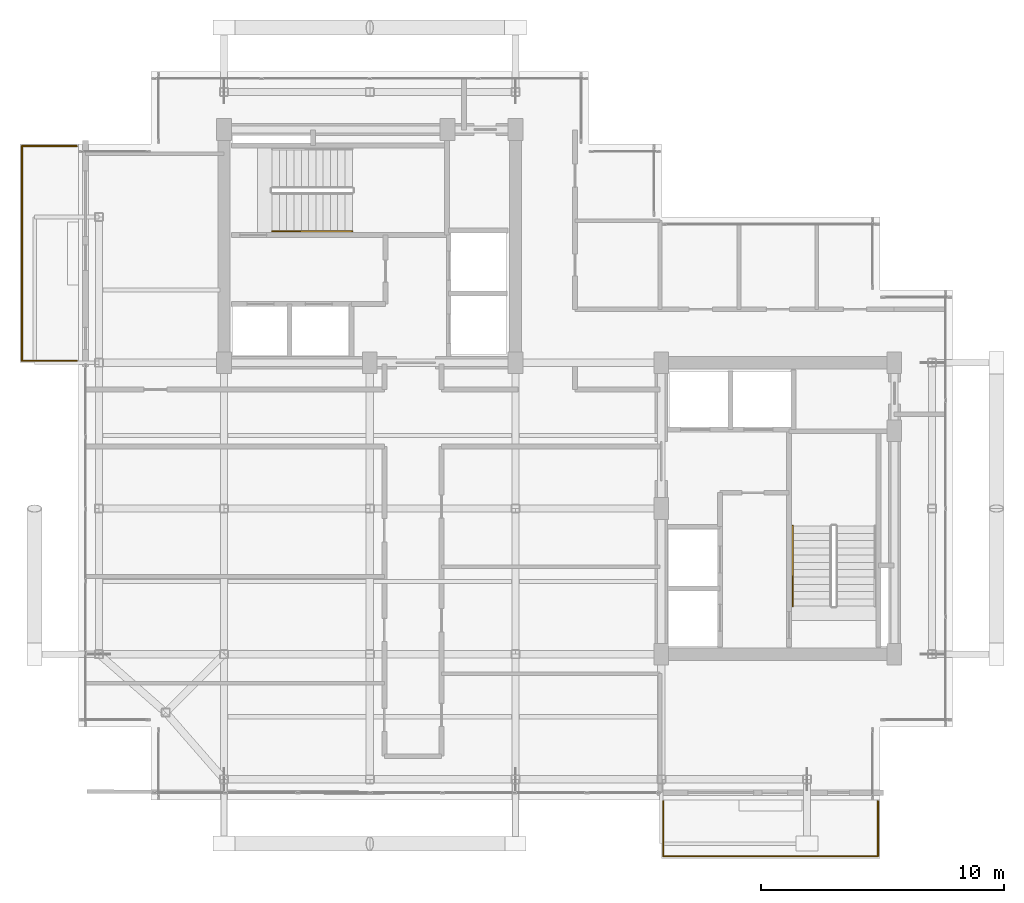
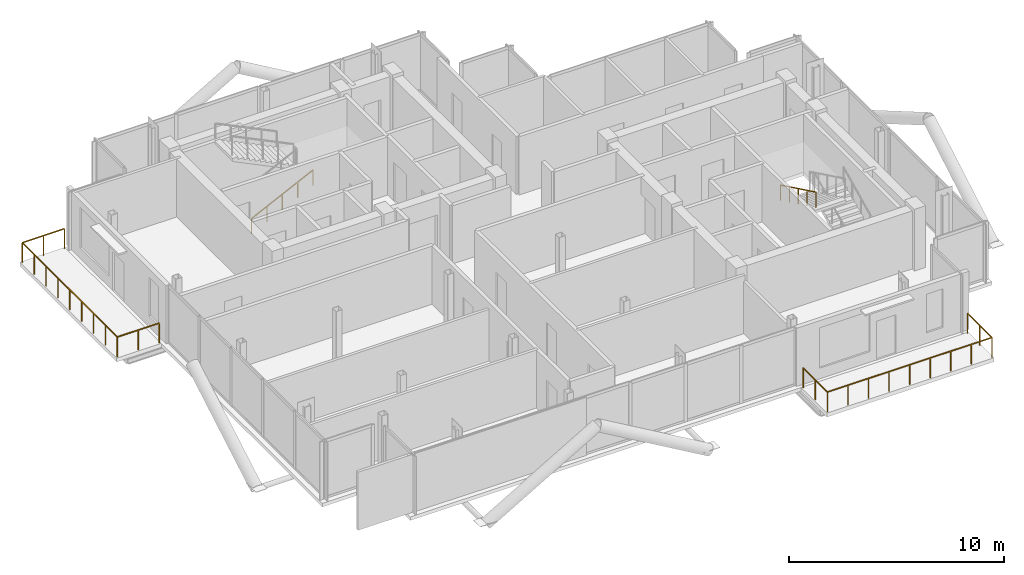
# One storey, part 18 of 19: 4 railings.
"""IFC4 building model written with IfcOpenShell, lengths in metres."""

from ifc_helpers import new_model, si_unit, direction, frame, origin, origin_2d, place, context, subcontext, project, spatial, rectangle, extrude, material, type_object, element, save


model = new_model("IFC4")

# Units and contexts
model_context = context("Model", 3, precision=1e-05, world=origin(), true_north=direction((0.0, 1.0)))
body_context = subcontext(model_context, "Body", "Model", "MODEL_VIEW")
ifc_project = project(units=[si_unit("LENGTHUNIT", "METRE"), si_unit("AREAUNIT", "SQUARE_METRE"), si_unit("VOLUMEUNIT", "CUBIC_METRE"), si_unit("PLANEANGLEUNIT", "RADIAN"), si_unit("MASSUNIT", "GRAM", prefix="KILO"), si_unit("THERMODYNAMICTEMPERATUREUNIT", "KELVIN"), si_unit("POWERUNIT", "WATT")], contexts=[model_context])

# Site, building, storey
site_placement = place(None, origin())
site = spatial("IfcSite", under=ifc_project, at=site_placement, CompositionType="ELEMENT")
building_placement = place(site_placement, origin())
building = spatial("IfcBuilding", under=site, at=building_placement, Name="Svarakhadi Broadcast Tower", CompositionType="ELEMENT")
storey_placement = place(building_placement, frame((0.0, 0.0, 271.199951171875)))
storey = spatial("IfcBuildingStorey", under=building, at=storey_placement, Name="L68", CompositionType="ELEMENT", Elevation=271.199951171875)

# Railings
ifc_material_1 = material(Name="Laminated Structural SentryGlas Balustrade 25.5 mm", Category="glass")
railing_type_1 = type_object("IfcRailingType", Name="Guard_Balcony_GR01", PredefinedType="BALUSTRADE", material=ifc_material_1)
railing_1_placement = place(storey_placement, frame((24.080078125, -0.06005859375, 0.0)))
element("IfcRailing", 1, at=railing_1_placement, inside=storey, type_object=railing_type_1, Name="L68 South Tree Balcony Guard GR-05", PredefinedType="BALUSTRADE", context=body_context, shape_type="SweptSolid", body=[
    extrude(rectangle(XDim=0.048095703125, YDim=0.048095703125, at=origin_2d()), frame((0.0, 0.0, 1.1259765625), z_axis=(0.0, -1.0, 0.0), x_axis=(1.0, 0.0, 0.0)), (0.0, 0.0, 1.0), 2.260009765625),
    extrude(rectangle(XDim=0.048095703125, YDim=0.048095703125, at=origin_2d()), frame((0.0, -2.260009765625, 1.1259765625), z_axis=(1.0, 0.0, 0.0), x_axis=(0.0, 1.0, 0.0)), (0.0, 0.0, 1.0), 8.83984375),
    extrude(rectangle(XDim=0.048095703125, YDim=0.048095703125, at=origin_2d()), frame((8.83984375, -2.260009765625, 1.1259765625), z_axis=(0.0, 1.0, 0.0), x_axis=(-1.0, 0.0, 0.0)), (0.0, 0.0, 1.0), 2.260009765625),
    extrude(rectangle(XDim=0.0419921875, YDim=0.0419921875, at=origin_2d()), origin(), (0.0, 0.0, 1.0), 1.101806640625),
    extrude(rectangle(XDim=0.0419921875, YDim=0.0419921875, at=origin_2d()), frame((0.0, -1.1298828125, 0.0)), (0.0, 0.0, 1.0), 1.101806640625),
    extrude(rectangle(XDim=0.0419921875, YDim=0.0419921875, at=origin_2d()), frame((0.0, -2.260009765625, 0.0)), (0.0, 0.0, 1.0), 1.101806640625),
    extrude(rectangle(XDim=0.0419921875, YDim=0.0419921875, at=origin_2d()), frame((1.10498046875, -2.260009765625, 0.0)), (0.0, 0.0, 1.0), 1.101806640625),
    extrude(rectangle(XDim=0.0419921875, YDim=0.0419921875, at=origin_2d()), frame((2.2099609375, -2.260009765625, 0.0)), (0.0, 0.0, 1.0), 1.101806640625),
    extrude(rectangle(XDim=0.0419921875, YDim=0.0419921875, at=origin_2d()), frame((3.31494140625, -2.260009765625, 0.0)), (0.0, 0.0, 1.0), 1.101806640625),
    extrude(rectangle(XDim=0.0419921875, YDim=0.0419921875, at=origin_2d()), frame((4.419921875, -2.260009765625, 0.0)), (0.0, 0.0, 1.0), 1.101806640625),
    extrude(rectangle(XDim=0.0419921875, YDim=0.0419921875, at=origin_2d()), frame((5.52490234375, -2.260009765625, 0.0)), (0.0, 0.0, 1.0), 1.101806640625),
    extrude(rectangle(XDim=0.0419921875, YDim=0.0419921875, at=origin_2d()), frame((6.6298828125, -2.260009765625, 0.0)), (0.0, 0.0, 1.0), 1.101806640625),
    extrude(rectangle(XDim=0.0419921875, YDim=0.0419921875, at=origin_2d()), frame((7.73486328125, -2.260009765625, 0.0)), (0.0, 0.0, 1.0), 1.101806640625),
    extrude(rectangle(XDim=0.0419921875, YDim=0.0419921875, at=origin_2d()), frame((8.83984375, -2.260009765625, 0.0)), (0.0, 0.0, 1.0), 1.101806640625),
    extrude(rectangle(XDim=0.0419921875, YDim=0.0419921875, at=origin_2d()), frame((8.83984375, -1.1298828125, 0.0)), (0.0, 0.0, 1.0), 1.101806640625),
    extrude(rectangle(XDim=0.0419921875, YDim=0.0419921875, at=origin_2d()), frame((8.83984375, 0.0, 0.0)), (0.0, 0.0, 1.0), 1.101806640625),
])
railing_2_placement = place(storey_placement, frame((-0.06005859375, 18.080078125, 0.0)))
element("IfcRailing", 2, at=railing_2_placement, inside=storey, type_object=railing_type_1, Name="L68 West Tree Balcony Guard GR-05", PredefinedType="BALUSTRADE", context=body_context, shape_type="SweptSolid", body=[
    extrude(rectangle(XDim=0.048095703125, YDim=0.048095703125, at=origin_2d()), frame((0.0, 0.0, 1.1259765625), z_axis=(-1.0, 0.0, 0.0), x_axis=(0.0, -1.0, 0.0)), (0.0, 0.0, 1.0), 2.260009765625),
    extrude(rectangle(XDim=0.048095703125, YDim=0.048095703125, at=origin_2d()), frame((-2.260009765625, 0.0, 1.1259765625), z_axis=(0.0, 1.0, 0.0), x_axis=(-1.0, 0.0, 0.0)), (0.0, 0.0, 1.0), 8.83984375),
    extrude(rectangle(XDim=0.048095703125, YDim=0.048095703125, at=origin_2d()), frame((-2.260009765625, 8.83984375, 1.1259765625), z_axis=(1.0, 0.0, 0.0), x_axis=(0.0, 1.0, 0.0)), (0.0, 0.0, 1.0), 2.260009765625),
    extrude(rectangle(XDim=0.0419921875, YDim=0.0419921875, at=origin_2d()), origin(), (0.0, 0.0, 1.0), 1.101806640625),
    extrude(rectangle(XDim=0.0419921875, YDim=0.0419921875, at=origin_2d()), frame((-1.1298828125, 0.0, 0.0)), (0.0, 0.0, 1.0), 1.101806640625),
    extrude(rectangle(XDim=0.0419921875, YDim=0.0419921875, at=origin_2d()), frame((-2.260009765625, 0.0, 0.0)), (0.0, 0.0, 1.0), 1.101806640625),
    extrude(rectangle(XDim=0.0419921875, YDim=0.0419921875, at=origin_2d()), frame((-2.260009765625, 1.10498046875, 0.0)), (0.0, 0.0, 1.0), 1.101806640625),
    extrude(rectangle(XDim=0.0419921875, YDim=0.0419921875, at=origin_2d()), frame((-2.260009765625, 2.2099609375, 0.0)), (0.0, 0.0, 1.0), 1.101806640625),
    extrude(rectangle(XDim=0.0419921875, YDim=0.0419921875, at=origin_2d()), frame((-2.260009765625, 3.31494140625, 0.0)), (0.0, 0.0, 1.0), 1.101806640625),
    extrude(rectangle(XDim=0.0419921875, YDim=0.0419921875, at=origin_2d()), frame((-2.260009765625, 4.419921875, 0.0)), (0.0, 0.0, 1.0), 1.101806640625),
    extrude(rectangle(XDim=0.0419921875, YDim=0.0419921875, at=origin_2d()), frame((-2.260009765625, 5.52490234375, 0.0)), (0.0, 0.0, 1.0), 1.101806640625),
    extrude(rectangle(XDim=0.0419921875, YDim=0.0419921875, at=origin_2d()), frame((-2.260009765625, 6.6298828125, 0.0)), (0.0, 0.0, 1.0), 1.101806640625),
    extrude(rectangle(XDim=0.0419921875, YDim=0.0419921875, at=origin_2d()), frame((-2.260009765625, 7.73486328125, 0.0)), (0.0, 0.0, 1.0), 1.101806640625),
    extrude(rectangle(XDim=0.0419921875, YDim=0.0419921875, at=origin_2d()), frame((-2.260009765625, 8.83984375, 0.0)), (0.0, 0.0, 1.0), 1.101806640625),
    extrude(rectangle(XDim=0.0419921875, YDim=0.0419921875, at=origin_2d()), frame((-1.1298828125, 8.83984375, 0.0)), (0.0, 0.0, 1.0), 1.101806640625),
    extrude(rectangle(XDim=0.0419921875, YDim=0.0419921875, at=origin_2d()), frame((0.0, 8.83984375, 0.0)), (0.0, 0.0, 1.0), 1.101806640625),
])
ifc_material_2 = material(Name="Anodised Bronze Aluminium AA 6063-T6", Category="aluminium")
railing_type_2 = type_object("IfcRailingType", Name="Handrail_Stair_HR01", PredefinedType="HANDRAIL", material=ifc_material_2)
railing_3_placement = place(storey_placement, frame((7.97998046875, 23.409912109375, 0.14599609375)))
element("IfcRailing", 3, at=railing_3_placement, inside=storey, type_object=railing_type_2, Name="L68 ST-01 stair handrail 1", PredefinedType="HANDRAIL", context=body_context, shape_type="SweptSolid", body=[
    extrude(rectangle(XDim=0.048095703125, YDim=0.048095703125, at=origin_2d()), frame((0.0, 0.0, 0.8759765625), z_axis=(0.899387838337, 0.0, 0.437151594131), x_axis=(0.0, 1.0, 0.0)), (0.0, 0.0, 1.0), 3.669189453125),
    extrude(rectangle(XDim=0.0419921875, YDim=0.0419921875, at=origin_2d()), origin(), (0.0, 0.0, 1.0), 0.851806640625),
    extrude(rectangle(XDim=0.0419921875, YDim=0.0419921875, at=origin_2d()), frame((0.824951171875, 0.0, 0.40087890625)), (0.0, 0.0, 1.0), 0.851806640625),
    extrude(rectangle(XDim=0.0419921875, YDim=0.0419921875, at=origin_2d()), frame((1.64990234375, 0.0, 0.802001953125)), (0.0, 0.0, 1.0), 0.851806640625),
    extrude(rectangle(XDim=0.0419921875, YDim=0.0419921875, at=origin_2d()), frame((2.47509765625, 0.0, 1.203125)), (0.0, 0.0, 1.0), 0.851806640625),
    extrude(rectangle(XDim=0.0419921875, YDim=0.0419921875, at=origin_2d()), frame((3.300048828125, 0.0, 1.60400390625)), (0.0, 0.0, 1.0), 0.851806640625),
])
railing_4_placement = place(storey_placement, frame((29.409912109375, 11.280029296875, 1.89599609375)))
element("IfcRailing", 4, at=railing_4_placement, inside=storey, type_object=railing_type_2, Name="L68 ST-02 stair handrail 2", PredefinedType="HANDRAIL", context=body_context, shape_type="SweptSolid", body=[
    extrude(rectangle(XDim=0.048095703125, YDim=0.048095703125, at=origin_2d()), frame((0.0, 0.0, 0.8759765625), z_axis=(0.0, -0.899387838337, 0.437151594131), x_axis=(1.0, 0.0, 0.0)), (0.0, 0.0, 1.0), 3.669189453125),
    extrude(rectangle(XDim=0.0419921875, YDim=0.0419921875, at=origin_2d()), origin(), (0.0, 0.0, 1.0), 0.851806640625),
    extrude(rectangle(XDim=0.0419921875, YDim=0.0419921875, at=origin_2d()), frame((0.0, -0.824951171875, 0.40087890625)), (0.0, 0.0, 1.0), 0.851806640625),
    extrude(rectangle(XDim=0.0419921875, YDim=0.0419921875, at=origin_2d()), frame((0.0, -1.64990234375, 0.802001953125)), (0.0, 0.0, 1.0), 0.851806640625),
    extrude(rectangle(XDim=0.0419921875, YDim=0.0419921875, at=origin_2d()), frame((0.0, -2.47509765625, 1.203125)), (0.0, 0.0, 1.0), 0.851806640625),
    extrude(rectangle(XDim=0.0419921875, YDim=0.0419921875, at=origin_2d()), frame((0.0, -3.300048828125, 1.60400390625)), (0.0, 0.0, 1.0), 0.851806640625),
])

save(model, "model.ifc")
